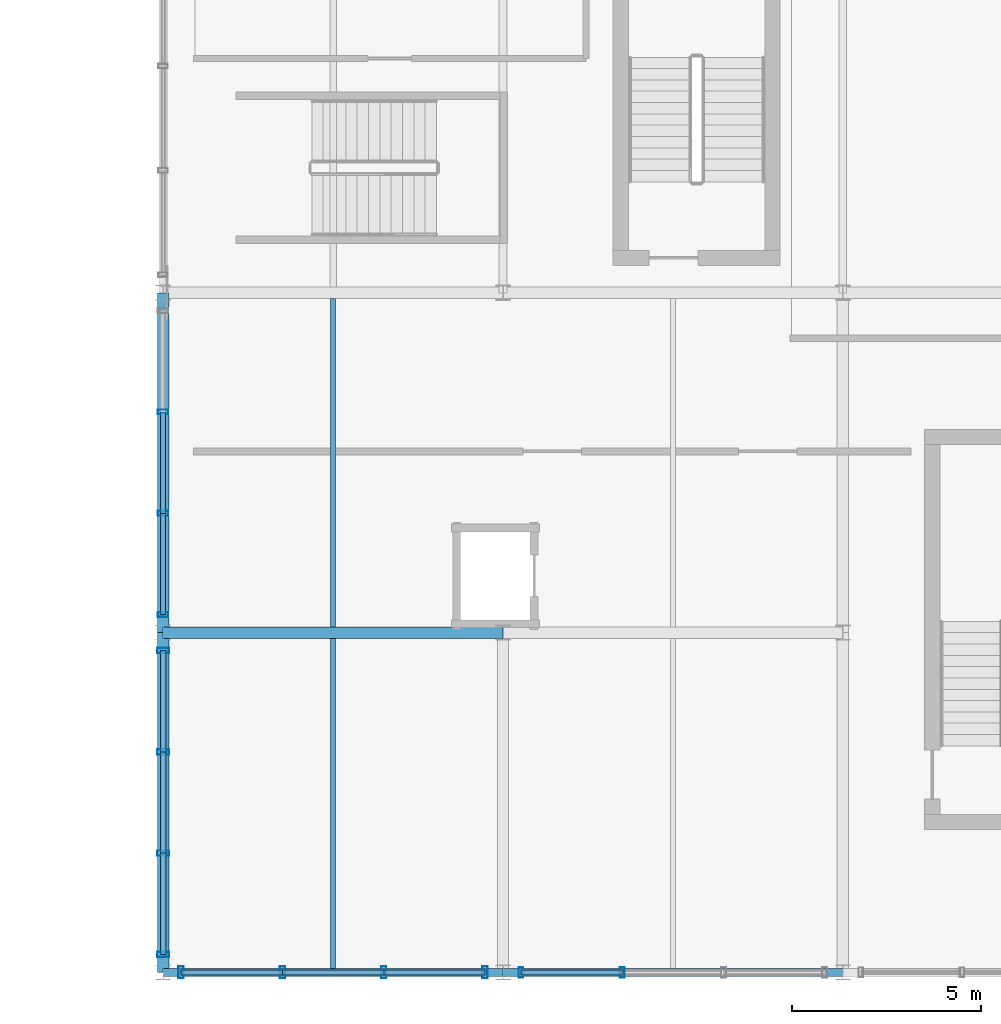
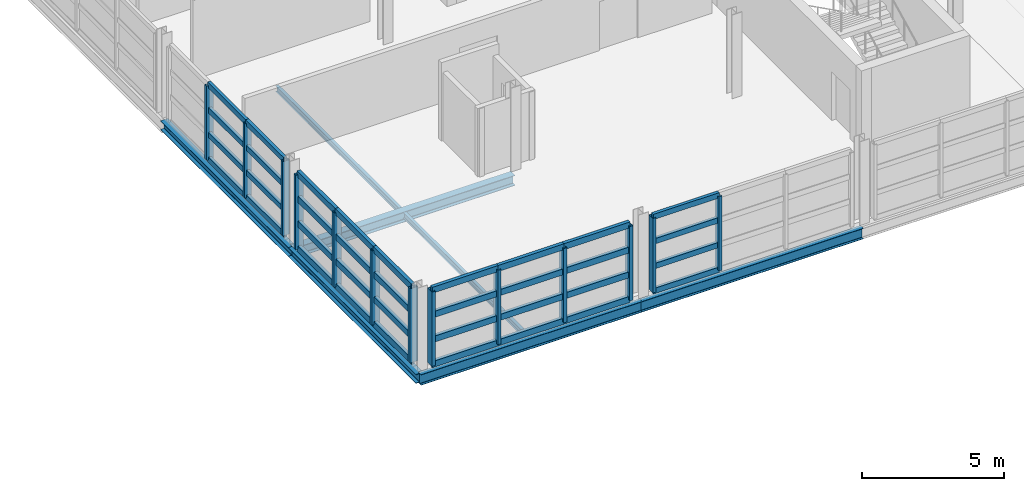
# One storey, part 57 of 116: 49 members, 7 beams, 4 elements without a shape of their own.
"""IFC4 building model written with IfcOpenShell, lengths in metres."""

from ifc_helpers import new_model, si_unit, direction, frame, origin, origin_2d, place, context, subcontext, project, spatial, hollow_rectangle, i_section, extrude, material, material_profile, profile_set, type_object, element, aggregate, save


model = new_model("IFC4")

# Units and contexts
model_context = context("Model", 3, precision=1e-05, world=origin(), true_north=direction((0.0, 1.0)))
body_context = subcontext(model_context, "Body", "Model", "MODEL_VIEW")
ifc_project = project(units=[si_unit("LENGTHUNIT", "METRE"), si_unit("AREAUNIT", "SQUARE_METRE"), si_unit("VOLUMEUNIT", "CUBIC_METRE"), si_unit("PLANEANGLEUNIT", "RADIAN"), si_unit("MASSUNIT", "GRAM", prefix="KILO")], contexts=[model_context])

# Site, building, storey
site_placement = place(None, origin())
site = spatial("IfcSite", under=ifc_project, at=site_placement, CompositionType="ELEMENT")
building_placement = place(site_placement, origin())
building = spatial("IfcBuilding", under=site, at=building_placement, Name="Chuanluo Vaults Station", CompositionType="ELEMENT")
storey_placement = place(building_placement, frame((0.0, 0.0, 10.800048828125)))
storey = spatial("IfcBuildingStorey", under=building, at=storey_placement, Name="L02", CompositionType="ELEMENT", Elevation=10.800048828125)

# Beams
ifc_material_1 = material(Name="Steel Q355C", Category="steel")
ifc_material_profile_1 = material_profile(ifc_material_1, i_section(OverallWidth=0.300048828125, OverallDepth=0.389892578125, WebThickness=0.010009765625, FlangeThickness=0.01611328125, FilletRadius=0.02001953125, at=origin_2d()))
ifc_profile_set_1 = profile_set([ifc_material_profile_1], Name="Steel Q355C")
beam_type_1 = type_object("IfcBeamType", Name="BM-GRD-400", PredefinedType="BEAM", material=ifc_profile_set_1)
for number, where, z_axis, x_axis, name in (
    (1, (136.0, 0.0, -0.43505859375), (0.0, 1.0, 0.0), (-1.0, 0.0, 0.0), "Floor girder BM:GY:L02:0634"),
    (2, (136.0, 9.0, -0.43505859375), (0.0, 1.0, 0.0), (-1.0, 0.0, 0.0), "Floor girder BM:GY:L02:0635"),
):
    element("IfcBeam", number, at=place(storey_placement, frame(where, z_axis=z_axis, x_axis=x_axis)), inside=storey, type_object=beam_type_1, Name=name, PredefinedType="BEAM", context=body_context, shape_type="SweptSolid", body=[
        extrude(i_section(OverallWidth=0.300048828125, OverallDepth=0.389892578125, WebThickness=0.010009765625, FlangeThickness=0.01611328125, FilletRadius=0.02001953125, at=origin_2d()), origin(), (0.0, 0.0, 1.0), 9.0),
    ])
ifc_material_2 = material(Name="Steel Q355C", Category="steel")
ifc_material_profile_2 = material_profile(ifc_material_2, i_section(OverallWidth=0.300048828125, OverallDepth=0.43994140625, WebThickness=0.010986328125, FlangeThickness=0.01806640625, FilletRadius=0.02001953125, at=origin_2d()))
ifc_profile_set_2 = profile_set([ifc_material_profile_2], Name="Steel Q355C")
beam_type_2 = type_object("IfcBeamType", Name="BM-GRD-450", PredefinedType="USERDEFINED", material=ifc_profile_set_2)
beam_1_placement = place(storey_placement, frame((136.0, 9.0, -0.4599609375), z_axis=(1.0, 0.0, 0.0), x_axis=(0.0, 1.0, 0.0)))
element("IfcBeam", 3, at=beam_1_placement, inside=storey, type_object=beam_type_2, Name="Floor girder BM:GX:L02:0541", ObjectType="GIRDER", PredefinedType="USERDEFINED", context=body_context, shape_type="SweptSolid", body=[
    extrude(i_section(OverallWidth=0.300048828125, OverallDepth=0.43994140625, WebThickness=0.010986328125, FlangeThickness=0.01806640625, FilletRadius=0.02001953125, at=origin_2d()), origin(), (0.0, 0.0, 1.0), 9.0),
])
ifc_material_3 = material(Name="Steel Q355C", Category="steel")
ifc_material_profile_3 = material_profile(ifc_material_3, i_section(OverallWidth=0.125, OverallDepth=0.25, WebThickness=0.006103515625, FlangeThickness=0.009033203125, FilletRadius=0.011962890625, at=origin_2d()))
ifc_profile_set_3 = profile_set([ifc_material_profile_3], Name="Steel Q355C")
beam_type_3 = type_object("IfcBeamType", Name="BM-SEC-250", PredefinedType="JOIST", material=ifc_profile_set_3)
beam_2_placement = place(storey_placement, frame((140.5, 0.107421875, -0.364990234375), z_axis=(0.0, 1.0, 0.0), x_axis=(-1.0, 0.0, 0.0)))
element("IfcBeam", 4, at=beam_2_placement, inside=storey, type_object=beam_type_3, Name="Composite secondary joist 0193", PredefinedType="JOIST", context=body_context, shape_type="SweptSolid", body=[
    extrude(i_section(OverallWidth=0.125, OverallDepth=0.25, WebThickness=0.006103515625, FlangeThickness=0.009033203125, FilletRadius=0.011962890625, at=origin_2d()), origin(), (0.0, 0.0, 1.0), 8.737548828125),
])
beam_3_placement = place(storey_placement, frame((140.5, 9.155029296875, -0.364990234375), z_axis=(0.0, 1.0, 0.0), x_axis=(-1.0, 0.0, 0.0)))
element("IfcBeam", 5, at=beam_3_placement, inside=storey, type_object=beam_type_3, Name="Composite secondary joist 0194", PredefinedType="JOIST", context=body_context, shape_type="SweptSolid", body=[
    extrude(i_section(OverallWidth=0.125, OverallDepth=0.25, WebThickness=0.006103515625, FlangeThickness=0.009033203125, FilletRadius=0.011962890625, at=origin_2d()), origin(), (0.0, 0.0, 1.0), 8.68994140625),
])
ifc_material_4 = material(Name="Steel Q355C", Category="steel")
ifc_material_profile_4 = material_profile(ifc_material_4, i_section(OverallWidth=0.205078125, OverallDepth=0.4599609375, WebThickness=0.009033203125, FlangeThickness=0.013916015625, FilletRadius=0.01611328125, at=origin_2d()))
ifc_profile_set_4 = profile_set([ifc_material_profile_4], Name="Steel Q355C")
beam_type_4 = type_object("IfcBeamType", Name="BM-SPN-450", PredefinedType="SPANDREL", material=ifc_profile_set_4)
for number, where, z_axis, x_axis, name in (
    (6, (136.0, 0.0, -0.469970703125), (1.0, 0.0, 0.0), (0.0, 1.0, 0.0), "Floor girder BM:GX:L02:0535"),
    (7, (145.0, 0.0, -0.469970703125), (1.0, 0.0, 0.0), (0.0, 1.0, 0.0), "Floor girder BM:GX:L02:0536"),
):
    element("IfcBeam", number, at=place(storey_placement, frame(where, z_axis=z_axis, x_axis=x_axis)), inside=storey, type_object=beam_type_4, Name=name, PredefinedType="SPANDREL", context=body_context, shape_type="SweptSolid", body=[
        extrude(i_section(OverallWidth=0.205078125, OverallDepth=0.4599609375, WebThickness=0.009033203125, FlangeThickness=0.013916015625, FilletRadius=0.01611328125, at=origin_2d()), origin(), (0.0, 0.0, 1.0), 9.0),
    ])

# Curtain wall, members
ifc_material_5 = material(Name="Anodised aluminium 6063-T6", Category="aluminium")
curtain_wall_type_1 = type_object("IfcCurtainWallType", Name="CW-SYS-22", PredefinedType="NOTDEFINED", material=ifc_material_5)
curtain_wall_1_placement = place(storey_placement, origin())
curtain_wall_1 = element("IfcCurtainWall", 8, at=curtain_wall_1_placement, inside=storey, type_object=curtain_wall_type_1, Name="Retail pavilion L02 facade CW", PredefinedType="NOTDEFINED")
ifc_material_6 = material(Name="Anodised aluminium 6063-T6", Category="aluminium")
ifc_material_profile_5 = material_profile(ifc_material_6, hollow_rectangle(XDim=0.1298828125, YDim=0.280029296875, WallThickness=0.007080078125, at=origin_2d()))
ifc_profile_set_5 = profile_set([ifc_material_profile_5], Name="Anodised aluminium 6063-T6")
member_type_1 = type_object("IfcMemberType", Name="CWM-180", PredefinedType="MULLION", material=ifc_profile_set_5)
member_1_placement = place(storey_placement, frame((136.0, 9.47509765625, 0.0), z_axis=(0.0, 0.0, 1.0), x_axis=(0.0, 1.0, 0.0)))
member_1 = element("IfcMember", 9, at=member_1_placement, type_object=member_type_1, Name="Retail pavilion L02 facade CW mullion 1", PredefinedType="MULLION", context=body_context, shape_type="SweptSolid", body=[
    extrude(hollow_rectangle(XDim=0.1298828125, YDim=0.280029296875, WallThickness=0.007080078125, at=origin_2d()), origin(), (0.0, 0.0, 1.0), 3.199951171875),
])
member_2_placement = place(storey_placement, frame((136.0, 12.158203125, 0.0), z_axis=(0.0, 0.0, 1.0), x_axis=(0.0, 1.0, 0.0)))
member_2 = element("IfcMember", 10, at=member_2_placement, type_object=member_type_1, Name="Retail pavilion L02 facade CW mullion 2", PredefinedType="MULLION", context=body_context, shape_type="SweptSolid", body=[
    extrude(hollow_rectangle(XDim=0.1298828125, YDim=0.280029296875, WallThickness=0.007080078125, at=origin_2d()), origin(), (0.0, 0.0, 1.0), 3.199951171875),
])
member_3_placement = place(storey_placement, frame((136.0, 14.841796875, 0.0), z_axis=(0.0, 0.0, 1.0), x_axis=(0.0, 1.0, 0.0)))
member_3 = element("IfcMember", 11, at=member_3_placement, type_object=member_type_1, Name="Retail pavilion L02 facade CW mullion 3", PredefinedType="MULLION", context=body_context, shape_type="SweptSolid", body=[
    extrude(hollow_rectangle(XDim=0.1298828125, YDim=0.280029296875, WallThickness=0.007080078125, at=origin_2d()), origin(), (0.0, 0.0, 1.0), 3.199951171875),
])

ifc_material_7 = material(Name="Anodised aluminium 6063-T6", Category="aluminium")
curtain_wall_type_2 = type_object("IfcCurtainWallType", Name="CW-SYS-26", PredefinedType="NOTDEFINED", material=ifc_material_7)
curtain_wall_2_placement = place(storey_placement, origin())
curtain_wall_2 = element("IfcCurtainWall", 12, at=curtain_wall_2_placement, inside=storey, type_object=curtain_wall_type_2, Name="Retail pavilion L02 facade CW", PredefinedType="NOTDEFINED")
member_4_placement = place(storey_placement, frame((148.158203125, 0.0, 0.0), z_axis=(0.0, 0.0, 1.0), x_axis=(-1.0, 0.0, 0.0)))
member_4 = element("IfcMember", 13, at=member_4_placement, type_object=member_type_1, Name="Retail pavilion L02 facade CW mullion 3", PredefinedType="MULLION", context=body_context, shape_type="SweptSolid", body=[
    extrude(hollow_rectangle(XDim=0.1298828125, YDim=0.280029296875, WallThickness=0.007080078125, at=origin_2d()), origin(), (0.0, 0.0, 1.0), 3.199951171875),
])
member_5_placement = place(storey_placement, frame((145.47509765625, 0.0, 0.0), z_axis=(0.0, 0.0, 1.0), x_axis=(-1.0, 0.0, 0.0)))
member_5 = element("IfcMember", 14, at=member_5_placement, type_object=member_type_1, Name="Retail pavilion L02 facade CW mullion 4", PredefinedType="MULLION", context=body_context, shape_type="SweptSolid", body=[
    extrude(hollow_rectangle(XDim=0.1298828125, YDim=0.280029296875, WallThickness=0.007080078125, at=origin_2d()), origin(), (0.0, 0.0, 1.0), 3.199951171875),
])

ifc_material_8 = material(Name="Anodised aluminium 6063-T6", Category="aluminium")
curtain_wall_type_3 = type_object("IfcCurtainWallType", Name="CW-SYS-21", PredefinedType="NOTDEFINED", material=ifc_material_8)
curtain_wall_3_placement = place(storey_placement, origin())
curtain_wall_3 = element("IfcCurtainWall", 15, at=curtain_wall_3_placement, inside=storey, type_object=curtain_wall_type_3, Name="Retail pavilion L02 facade CW", PredefinedType="NOTDEFINED")
ifc_material_9 = material(Name="Anodised aluminium 6063-T6", Category="aluminium")
ifc_material_profile_6 = material_profile(ifc_material_9, hollow_rectangle(XDim=0.139892578125, YDim=0.320068359375, WallThickness=0.008056640625, at=origin_2d()))
ifc_profile_set_6 = profile_set([ifc_material_profile_6], Name="Anodised aluminium 6063-T6")
member_type_2 = type_object("IfcMemberType", Name="CWM-220", PredefinedType="MULLION", material=ifc_profile_set_6)
member_6_placement = place(storey_placement, frame((136.0, 0.47509765625, 0.0), z_axis=(0.0, 0.0, 1.0), x_axis=(0.0, 1.0, 0.0)))
member_6 = element("IfcMember", 16, at=member_6_placement, type_object=member_type_2, Name="Retail pavilion L02 facade CW mullion 1", PredefinedType="MULLION", context=body_context, shape_type="SweptSolid", body=[
    extrude(hollow_rectangle(XDim=0.139892578125, YDim=0.320068359375, WallThickness=0.008056640625, at=origin_2d()), origin(), (0.0, 0.0, 1.0), 3.199951171875),
])
member_7_placement = place(storey_placement, frame((136.0, 3.158203125, 0.0), z_axis=(0.0, 0.0, 1.0), x_axis=(0.0, 1.0, 0.0)))
member_7 = element("IfcMember", 17, at=member_7_placement, type_object=member_type_2, Name="Retail pavilion L02 facade CW mullion 2", PredefinedType="MULLION", context=body_context, shape_type="SweptSolid", body=[
    extrude(hollow_rectangle(XDim=0.139892578125, YDim=0.320068359375, WallThickness=0.008056640625, at=origin_2d()), origin(), (0.0, 0.0, 1.0), 3.199951171875),
])
member_8_placement = place(storey_placement, frame((136.0, 5.841796875, 0.0), z_axis=(0.0, 0.0, 1.0), x_axis=(0.0, 1.0, 0.0)))
member_8 = element("IfcMember", 18, at=member_8_placement, type_object=member_type_2, Name="Retail pavilion L02 facade CW mullion 3", PredefinedType="MULLION", context=body_context, shape_type="SweptSolid", body=[
    extrude(hollow_rectangle(XDim=0.139892578125, YDim=0.320068359375, WallThickness=0.008056640625, at=origin_2d()), origin(), (0.0, 0.0, 1.0), 3.199951171875),
])
member_9_placement = place(storey_placement, frame((136.0, 8.52490234375, 0.0), z_axis=(0.0, 0.0, 1.0), x_axis=(0.0, 1.0, 0.0)))
member_9 = element("IfcMember", 19, at=member_9_placement, type_object=member_type_2, Name="Retail pavilion L02 facade CW mullion 4", PredefinedType="MULLION", context=body_context, shape_type="SweptSolid", body=[
    extrude(hollow_rectangle(XDim=0.139892578125, YDim=0.320068359375, WallThickness=0.008056640625, at=origin_2d()), origin(), (0.0, 0.0, 1.0), 3.199951171875),
])

ifc_material_10 = material(Name="Anodised aluminium 6063-T6", Category="aluminium")
curtain_wall_type_4 = type_object("IfcCurtainWallType", Name="CW-SYS-25", PredefinedType="NOTDEFINED", material=ifc_material_10)
curtain_wall_4_placement = place(storey_placement, origin())
curtain_wall_4 = element("IfcCurtainWall", 20, at=curtain_wall_4_placement, inside=storey, type_object=curtain_wall_type_4, Name="Retail pavilion L02 facade CW", PredefinedType="NOTDEFINED")
member_10_placement = place(storey_placement, frame((144.52490234375, 0.0, 0.0), z_axis=(0.0, 0.0, 1.0), x_axis=(-1.0, 0.0, 0.0)))
member_10 = element("IfcMember", 21, at=member_10_placement, type_object=member_type_2, Name="Retail pavilion L02 facade CW mullion 1", PredefinedType="MULLION", context=body_context, shape_type="SweptSolid", body=[
    extrude(hollow_rectangle(XDim=0.139892578125, YDim=0.320068359375, WallThickness=0.008056640625, at=origin_2d()), origin(), (0.0, 0.0, 1.0), 3.199951171875),
])
member_11_placement = place(storey_placement, frame((141.841796875, 0.0, 0.0), z_axis=(0.0, 0.0, 1.0), x_axis=(-1.0, 0.0, 0.0)))
member_11 = element("IfcMember", 22, at=member_11_placement, type_object=member_type_2, Name="Retail pavilion L02 facade CW mullion 2", PredefinedType="MULLION", context=body_context, shape_type="SweptSolid", body=[
    extrude(hollow_rectangle(XDim=0.139892578125, YDim=0.320068359375, WallThickness=0.008056640625, at=origin_2d()), origin(), (0.0, 0.0, 1.0), 3.199951171875),
])
member_12_placement = place(storey_placement, frame((139.158203125, 0.0, 0.0), z_axis=(0.0, 0.0, 1.0), x_axis=(-1.0, 0.0, 0.0)))
member_12 = element("IfcMember", 23, at=member_12_placement, type_object=member_type_2, Name="Retail pavilion L02 facade CW mullion 3", PredefinedType="MULLION", context=body_context, shape_type="SweptSolid", body=[
    extrude(hollow_rectangle(XDim=0.139892578125, YDim=0.320068359375, WallThickness=0.008056640625, at=origin_2d()), origin(), (0.0, 0.0, 1.0), 3.199951171875),
])
member_13_placement = place(storey_placement, frame((136.47509765625, 0.0, 0.0), z_axis=(0.0, 0.0, 1.0), x_axis=(-1.0, 0.0, 0.0)))
member_13 = element("IfcMember", 24, at=member_13_placement, type_object=member_type_2, Name="Retail pavilion L02 facade CW mullion 4", PredefinedType="MULLION", context=body_context, shape_type="SweptSolid", body=[
    extrude(hollow_rectangle(XDim=0.139892578125, YDim=0.320068359375, WallThickness=0.008056640625, at=origin_2d()), origin(), (0.0, 0.0, 1.0), 3.199951171875),
])

# Member
ifc_material_11 = material(Name="Anodised aluminium 6063-T6", Category="aluminium")
ifc_material_profile_7 = material_profile(ifc_material_11, hollow_rectangle(XDim=0.1298828125, YDim=0.22998046875, WallThickness=0.006103515625, at=origin_2d()))
ifc_profile_set_7 = profile_set([ifc_material_profile_7], Name="Anodised aluminium 6063-T6")
member_type_3 = type_object("IfcMemberType", Name="CWT-150", PredefinedType="USERDEFINED", material=ifc_profile_set_7)
member_14_placement = place(storey_placement, frame((136.0, 9.47509765625, 0.0), z_axis=(0.0, 1.0, 0.0), x_axis=(-1.0, 0.0, 0.0)))
member_14 = element("IfcMember", 25, at=member_14_placement, type_object=member_type_3, Name="Retail pavilion L02 facade CW transom 1.1", ObjectType="TRANSOM", PredefinedType="USERDEFINED", context=body_context, shape_type="SweptSolid", body=[
    extrude(hollow_rectangle(XDim=0.1298828125, YDim=0.22998046875, WallThickness=0.006103515625, at=origin_2d()), origin(), (0.0, 0.0, 1.0), 2.68310546875),
])

member_15_placement = place(storey_placement, frame((136.0, 9.47509765625, 1.066650390625), z_axis=(0.0, 1.0, 0.0), x_axis=(-1.0, 0.0, 0.0)))
member_15 = element("IfcMember", 26, at=member_15_placement, type_object=member_type_3, Name="Retail pavilion L02 facade CW transom 1.2", ObjectType="TRANSOM", PredefinedType="USERDEFINED", context=body_context, shape_type="SweptSolid", body=[
    extrude(hollow_rectangle(XDim=0.1298828125, YDim=0.22998046875, WallThickness=0.006103515625, at=origin_2d()), origin(), (0.0, 0.0, 1.0), 2.68310546875),
])

member_16_placement = place(storey_placement, frame((136.0, 9.47509765625, 2.13330078125), z_axis=(0.0, 1.0, 0.0), x_axis=(-1.0, 0.0, 0.0)))
member_16 = element("IfcMember", 27, at=member_16_placement, type_object=member_type_3, Name="Retail pavilion L02 facade CW transom 1.3", ObjectType="TRANSOM", PredefinedType="USERDEFINED", context=body_context, shape_type="SweptSolid", body=[
    extrude(hollow_rectangle(XDim=0.1298828125, YDim=0.22998046875, WallThickness=0.006103515625, at=origin_2d()), origin(), (0.0, 0.0, 1.0), 2.68310546875),
])

member_17_placement = place(storey_placement, frame((136.0, 9.47509765625, 3.199951171875), z_axis=(0.0, 1.0, 0.0), x_axis=(-1.0, 0.0, 0.0)))
member_17 = element("IfcMember", 28, at=member_17_placement, type_object=member_type_3, Name="Retail pavilion L02 facade CW transom 1.4", ObjectType="TRANSOM", PredefinedType="USERDEFINED", context=body_context, shape_type="SweptSolid", body=[
    extrude(hollow_rectangle(XDim=0.1298828125, YDim=0.22998046875, WallThickness=0.006103515625, at=origin_2d()), origin(), (0.0, 0.0, 1.0), 2.68310546875),
])

member_18_placement = place(storey_placement, frame((136.0, 12.158203125, 0.0), z_axis=(0.0, 1.0, 0.0), x_axis=(-1.0, 0.0, 0.0)))
member_18 = element("IfcMember", 29, at=member_18_placement, type_object=member_type_3, Name="Retail pavilion L02 facade CW transom 2.1", ObjectType="TRANSOM", PredefinedType="USERDEFINED", context=body_context, shape_type="SweptSolid", body=[
    extrude(hollow_rectangle(XDim=0.1298828125, YDim=0.22998046875, WallThickness=0.006103515625, at=origin_2d()), origin(), (0.0, 0.0, 1.0), 2.68359375),
])

member_19_placement = place(storey_placement, frame((136.0, 12.158203125, 1.066650390625), z_axis=(0.0, 1.0, 0.0), x_axis=(-1.0, 0.0, 0.0)))
member_19 = element("IfcMember", 30, at=member_19_placement, type_object=member_type_3, Name="Retail pavilion L02 facade CW transom 2.2", ObjectType="TRANSOM", PredefinedType="USERDEFINED", context=body_context, shape_type="SweptSolid", body=[
    extrude(hollow_rectangle(XDim=0.1298828125, YDim=0.22998046875, WallThickness=0.006103515625, at=origin_2d()), origin(), (0.0, 0.0, 1.0), 2.68359375),
])

member_20_placement = place(storey_placement, frame((136.0, 12.158203125, 2.13330078125), z_axis=(0.0, 1.0, 0.0), x_axis=(-1.0, 0.0, 0.0)))
member_20 = element("IfcMember", 31, at=member_20_placement, type_object=member_type_3, Name="Retail pavilion L02 facade CW transom 2.3", ObjectType="TRANSOM", PredefinedType="USERDEFINED", context=body_context, shape_type="SweptSolid", body=[
    extrude(hollow_rectangle(XDim=0.1298828125, YDim=0.22998046875, WallThickness=0.006103515625, at=origin_2d()), origin(), (0.0, 0.0, 1.0), 2.68359375),
])

member_21_placement = place(storey_placement, frame((136.0, 12.158203125, 3.199951171875), z_axis=(0.0, 1.0, 0.0), x_axis=(-1.0, 0.0, 0.0)))
member_21 = element("IfcMember", 32, at=member_21_placement, type_object=member_type_3, Name="Retail pavilion L02 facade CW transom 2.4", ObjectType="TRANSOM", PredefinedType="USERDEFINED", context=body_context, shape_type="SweptSolid", body=[
    extrude(hollow_rectangle(XDim=0.1298828125, YDim=0.22998046875, WallThickness=0.006103515625, at=origin_2d()), origin(), (0.0, 0.0, 1.0), 2.68359375),
])

aggregate(curtain_wall_1, [member_1, member_2, member_3, member_14, member_15, member_16, member_17, member_18, member_19, member_20, member_21])

member_22_placement = place(storey_placement, frame((148.158203125, 0.0, 0.0), z_axis=(-1.0, 0.0, 0.0), x_axis=(0.0, -1.0, 0.0)))
member_22 = element("IfcMember", 33, at=member_22_placement, type_object=member_type_3, Name="Retail pavilion L02 facade CW transom 3.1", ObjectType="TRANSOM", PredefinedType="USERDEFINED", context=body_context, shape_type="SweptSolid", body=[
    extrude(hollow_rectangle(XDim=0.1298828125, YDim=0.22998046875, WallThickness=0.006103515625, at=origin_2d()), origin(), (0.0, 0.0, 1.0), 2.68310546875),
])

member_23_placement = place(storey_placement, frame((148.158203125, 0.0, 1.066650390625), z_axis=(-1.0, 0.0, 0.0), x_axis=(0.0, -1.0, 0.0)))
member_23 = element("IfcMember", 34, at=member_23_placement, type_object=member_type_3, Name="Retail pavilion L02 facade CW transom 3.2", ObjectType="TRANSOM", PredefinedType="USERDEFINED", context=body_context, shape_type="SweptSolid", body=[
    extrude(hollow_rectangle(XDim=0.1298828125, YDim=0.22998046875, WallThickness=0.006103515625, at=origin_2d()), origin(), (0.0, 0.0, 1.0), 2.68310546875),
])

member_24_placement = place(storey_placement, frame((148.158203125, 0.0, 2.13330078125), z_axis=(-1.0, 0.0, 0.0), x_axis=(0.0, -1.0, 0.0)))
member_24 = element("IfcMember", 35, at=member_24_placement, type_object=member_type_3, Name="Retail pavilion L02 facade CW transom 3.3", ObjectType="TRANSOM", PredefinedType="USERDEFINED", context=body_context, shape_type="SweptSolid", body=[
    extrude(hollow_rectangle(XDim=0.1298828125, YDim=0.22998046875, WallThickness=0.006103515625, at=origin_2d()), origin(), (0.0, 0.0, 1.0), 2.68310546875),
])

member_25_placement = place(storey_placement, frame((148.158203125, 0.0, 3.199951171875), z_axis=(-1.0, 0.0, 0.0), x_axis=(0.0, -1.0, 0.0)))
member_25 = element("IfcMember", 36, at=member_25_placement, type_object=member_type_3, Name="Retail pavilion L02 facade CW transom 3.4", ObjectType="TRANSOM", PredefinedType="USERDEFINED", context=body_context, shape_type="SweptSolid", body=[
    extrude(hollow_rectangle(XDim=0.1298828125, YDim=0.22998046875, WallThickness=0.006103515625, at=origin_2d()), origin(), (0.0, 0.0, 1.0), 2.68310546875),
])

aggregate(curtain_wall_2, [member_4, member_5, member_22, member_23, member_24, member_25])

ifc_material_12 = material(Name="Anodised aluminium 6063-T6", Category="aluminium")
ifc_material_profile_8 = material_profile(ifc_material_12, hollow_rectangle(XDim=0.139892578125, YDim=0.260009765625, WallThickness=0.007080078125, at=origin_2d()))
ifc_profile_set_8 = profile_set([ifc_material_profile_8], Name="Anodised aluminium 6063-T6")
member_type_4 = type_object("IfcMemberType", Name="CWT-180", PredefinedType="USERDEFINED", material=ifc_profile_set_8)
member_26_placement = place(storey_placement, frame((136.0, 0.47509765625, 0.0), z_axis=(0.0, 1.0, 0.0), x_axis=(-1.0, 0.0, 0.0)))
member_26 = element("IfcMember", 37, at=member_26_placement, type_object=member_type_4, Name="Retail pavilion L02 facade CW transom 1.1", ObjectType="TRANSOM", PredefinedType="USERDEFINED", context=body_context, shape_type="SweptSolid", body=[
    extrude(hollow_rectangle(XDim=0.139892578125, YDim=0.260009765625, WallThickness=0.007080078125, at=origin_2d()), origin(), (0.0, 0.0, 1.0), 2.68310546875),
])

member_27_placement = place(storey_placement, frame((136.0, 0.47509765625, 1.066650390625), z_axis=(0.0, 1.0, 0.0), x_axis=(-1.0, 0.0, 0.0)))
member_27 = element("IfcMember", 38, at=member_27_placement, type_object=member_type_4, Name="Retail pavilion L02 facade CW transom 1.2", ObjectType="TRANSOM", PredefinedType="USERDEFINED", context=body_context, shape_type="SweptSolid", body=[
    extrude(hollow_rectangle(XDim=0.139892578125, YDim=0.260009765625, WallThickness=0.007080078125, at=origin_2d()), origin(), (0.0, 0.0, 1.0), 2.68310546875),
])

member_28_placement = place(storey_placement, frame((136.0, 0.47509765625, 2.13330078125), z_axis=(0.0, 1.0, 0.0), x_axis=(-1.0, 0.0, 0.0)))
member_28 = element("IfcMember", 39, at=member_28_placement, type_object=member_type_4, Name="Retail pavilion L02 facade CW transom 1.3", ObjectType="TRANSOM", PredefinedType="USERDEFINED", context=body_context, shape_type="SweptSolid", body=[
    extrude(hollow_rectangle(XDim=0.139892578125, YDim=0.260009765625, WallThickness=0.007080078125, at=origin_2d()), origin(), (0.0, 0.0, 1.0), 2.68310546875),
])

member_29_placement = place(storey_placement, frame((136.0, 0.47509765625, 3.199951171875), z_axis=(0.0, 1.0, 0.0), x_axis=(-1.0, 0.0, 0.0)))
member_29 = element("IfcMember", 40, at=member_29_placement, type_object=member_type_4, Name="Retail pavilion L02 facade CW transom 1.4", ObjectType="TRANSOM", PredefinedType="USERDEFINED", context=body_context, shape_type="SweptSolid", body=[
    extrude(hollow_rectangle(XDim=0.139892578125, YDim=0.260009765625, WallThickness=0.007080078125, at=origin_2d()), origin(), (0.0, 0.0, 1.0), 2.68310546875),
])

member_30_placement = place(storey_placement, frame((136.0, 3.158203125, 0.0), z_axis=(0.0, 1.0, 0.0), x_axis=(-1.0, 0.0, 0.0)))
member_30 = element("IfcMember", 41, at=member_30_placement, type_object=member_type_4, Name="Retail pavilion L02 facade CW transom 2.1", ObjectType="TRANSOM", PredefinedType="USERDEFINED", context=body_context, shape_type="SweptSolid", body=[
    extrude(hollow_rectangle(XDim=0.139892578125, YDim=0.260009765625, WallThickness=0.007080078125, at=origin_2d()), origin(), (0.0, 0.0, 1.0), 2.68359375),
])

member_31_placement = place(storey_placement, frame((136.0, 3.158203125, 1.066650390625), z_axis=(0.0, 1.0, 0.0), x_axis=(-1.0, 0.0, 0.0)))
member_31 = element("IfcMember", 42, at=member_31_placement, type_object=member_type_4, Name="Retail pavilion L02 facade CW transom 2.2", ObjectType="TRANSOM", PredefinedType="USERDEFINED", context=body_context, shape_type="SweptSolid", body=[
    extrude(hollow_rectangle(XDim=0.139892578125, YDim=0.260009765625, WallThickness=0.007080078125, at=origin_2d()), origin(), (0.0, 0.0, 1.0), 2.68359375),
])

member_32_placement = place(storey_placement, frame((136.0, 3.158203125, 2.13330078125), z_axis=(0.0, 1.0, 0.0), x_axis=(-1.0, 0.0, 0.0)))
member_32 = element("IfcMember", 43, at=member_32_placement, type_object=member_type_4, Name="Retail pavilion L02 facade CW transom 2.3", ObjectType="TRANSOM", PredefinedType="USERDEFINED", context=body_context, shape_type="SweptSolid", body=[
    extrude(hollow_rectangle(XDim=0.139892578125, YDim=0.260009765625, WallThickness=0.007080078125, at=origin_2d()), origin(), (0.0, 0.0, 1.0), 2.68359375),
])

member_33_placement = place(storey_placement, frame((136.0, 3.158203125, 3.199951171875), z_axis=(0.0, 1.0, 0.0), x_axis=(-1.0, 0.0, 0.0)))
member_33 = element("IfcMember", 44, at=member_33_placement, type_object=member_type_4, Name="Retail pavilion L02 facade CW transom 2.4", ObjectType="TRANSOM", PredefinedType="USERDEFINED", context=body_context, shape_type="SweptSolid", body=[
    extrude(hollow_rectangle(XDim=0.139892578125, YDim=0.260009765625, WallThickness=0.007080078125, at=origin_2d()), origin(), (0.0, 0.0, 1.0), 2.68359375),
])

member_34_placement = place(storey_placement, frame((136.0, 5.841796875, 0.0), z_axis=(0.0, 1.0, 0.0), x_axis=(-1.0, 0.0, 0.0)))
member_34 = element("IfcMember", 45, at=member_34_placement, type_object=member_type_4, Name="Retail pavilion L02 facade CW transom 3.1", ObjectType="TRANSOM", PredefinedType="USERDEFINED", context=body_context, shape_type="SweptSolid", body=[
    extrude(hollow_rectangle(XDim=0.139892578125, YDim=0.260009765625, WallThickness=0.007080078125, at=origin_2d()), origin(), (0.0, 0.0, 1.0), 2.68310546875),
])

member_35_placement = place(storey_placement, frame((136.0, 5.841796875, 1.066650390625), z_axis=(0.0, 1.0, 0.0), x_axis=(-1.0, 0.0, 0.0)))
member_35 = element("IfcMember", 46, at=member_35_placement, type_object=member_type_4, Name="Retail pavilion L02 facade CW transom 3.2", ObjectType="TRANSOM", PredefinedType="USERDEFINED", context=body_context, shape_type="SweptSolid", body=[
    extrude(hollow_rectangle(XDim=0.139892578125, YDim=0.260009765625, WallThickness=0.007080078125, at=origin_2d()), origin(), (0.0, 0.0, 1.0), 2.68310546875),
])

member_36_placement = place(storey_placement, frame((136.0, 5.841796875, 2.13330078125), z_axis=(0.0, 1.0, 0.0), x_axis=(-1.0, 0.0, 0.0)))
member_36 = element("IfcMember", 47, at=member_36_placement, type_object=member_type_4, Name="Retail pavilion L02 facade CW transom 3.3", ObjectType="TRANSOM", PredefinedType="USERDEFINED", context=body_context, shape_type="SweptSolid", body=[
    extrude(hollow_rectangle(XDim=0.139892578125, YDim=0.260009765625, WallThickness=0.007080078125, at=origin_2d()), origin(), (0.0, 0.0, 1.0), 2.68310546875),
])

member_37_placement = place(storey_placement, frame((136.0, 5.841796875, 3.199951171875), z_axis=(0.0, 1.0, 0.0), x_axis=(-1.0, 0.0, 0.0)))
member_37 = element("IfcMember", 48, at=member_37_placement, type_object=member_type_4, Name="Retail pavilion L02 facade CW transom 3.4", ObjectType="TRANSOM", PredefinedType="USERDEFINED", context=body_context, shape_type="SweptSolid", body=[
    extrude(hollow_rectangle(XDim=0.139892578125, YDim=0.260009765625, WallThickness=0.007080078125, at=origin_2d()), origin(), (0.0, 0.0, 1.0), 2.68310546875),
])

aggregate(curtain_wall_3, [member_6, member_7, member_8, member_9, member_26, member_27, member_28, member_29, member_30, member_31, member_32, member_33, member_34, member_35, member_36, member_37])

member_38_placement = place(storey_placement, frame((144.52490234375, 0.0, 0.0), z_axis=(-1.0, 0.0, 0.0), x_axis=(0.0, -1.0, 0.0)))
member_38 = element("IfcMember", 49, at=member_38_placement, type_object=member_type_4, Name="Retail pavilion L02 facade CW transom 1.1", ObjectType="TRANSOM", PredefinedType="USERDEFINED", context=body_context, shape_type="SweptSolid", body=[
    extrude(hollow_rectangle(XDim=0.139892578125, YDim=0.260009765625, WallThickness=0.007080078125, at=origin_2d()), origin(), (0.0, 0.0, 1.0), 2.68310546875),
])

member_39_placement = place(storey_placement, frame((144.52490234375, 0.0, 1.066650390625), z_axis=(-1.0, 0.0, 0.0), x_axis=(0.0, -1.0, 0.0)))
member_39 = element("IfcMember", 50, at=member_39_placement, type_object=member_type_4, Name="Retail pavilion L02 facade CW transom 1.2", ObjectType="TRANSOM", PredefinedType="USERDEFINED", context=body_context, shape_type="SweptSolid", body=[
    extrude(hollow_rectangle(XDim=0.139892578125, YDim=0.260009765625, WallThickness=0.007080078125, at=origin_2d()), origin(), (0.0, 0.0, 1.0), 2.68310546875),
])

member_40_placement = place(storey_placement, frame((144.52490234375, 0.0, 2.13330078125), z_axis=(-1.0, 0.0, 0.0), x_axis=(0.0, -1.0, 0.0)))
member_40 = element("IfcMember", 51, at=member_40_placement, type_object=member_type_4, Name="Retail pavilion L02 facade CW transom 1.3", ObjectType="TRANSOM", PredefinedType="USERDEFINED", context=body_context, shape_type="SweptSolid", body=[
    extrude(hollow_rectangle(XDim=0.139892578125, YDim=0.260009765625, WallThickness=0.007080078125, at=origin_2d()), origin(), (0.0, 0.0, 1.0), 2.68310546875),
])

member_41_placement = place(storey_placement, frame((144.52490234375, 0.0, 3.199951171875), z_axis=(-1.0, 0.0, 0.0), x_axis=(0.0, -1.0, 0.0)))
member_41 = element("IfcMember", 52, at=member_41_placement, type_object=member_type_4, Name="Retail pavilion L02 facade CW transom 1.4", ObjectType="TRANSOM", PredefinedType="USERDEFINED", context=body_context, shape_type="SweptSolid", body=[
    extrude(hollow_rectangle(XDim=0.139892578125, YDim=0.260009765625, WallThickness=0.007080078125, at=origin_2d()), origin(), (0.0, 0.0, 1.0), 2.68310546875),
])

member_42_placement = place(storey_placement, frame((141.841796875, 0.0, 0.0), z_axis=(-1.0, 0.0, 0.0), x_axis=(0.0, -1.0, 0.0)))
member_42 = element("IfcMember", 53, at=member_42_placement, type_object=member_type_4, Name="Retail pavilion L02 facade CW transom 2.1", ObjectType="TRANSOM", PredefinedType="USERDEFINED", context=body_context, shape_type="SweptSolid", body=[
    extrude(hollow_rectangle(XDim=0.139892578125, YDim=0.260009765625, WallThickness=0.007080078125, at=origin_2d()), origin(), (0.0, 0.0, 1.0), 2.68359375),
])

member_43_placement = place(storey_placement, frame((141.841796875, 0.0, 1.066650390625), z_axis=(-1.0, 0.0, 0.0), x_axis=(0.0, -1.0, 0.0)))
member_43 = element("IfcMember", 54, at=member_43_placement, type_object=member_type_4, Name="Retail pavilion L02 facade CW transom 2.2", ObjectType="TRANSOM", PredefinedType="USERDEFINED", context=body_context, shape_type="SweptSolid", body=[
    extrude(hollow_rectangle(XDim=0.139892578125, YDim=0.260009765625, WallThickness=0.007080078125, at=origin_2d()), origin(), (0.0, 0.0, 1.0), 2.68359375),
])

member_44_placement = place(storey_placement, frame((141.841796875, 0.0, 2.13330078125), z_axis=(-1.0, 0.0, 0.0), x_axis=(0.0, -1.0, 0.0)))
member_44 = element("IfcMember", 55, at=member_44_placement, type_object=member_type_4, Name="Retail pavilion L02 facade CW transom 2.3", ObjectType="TRANSOM", PredefinedType="USERDEFINED", context=body_context, shape_type="SweptSolid", body=[
    extrude(hollow_rectangle(XDim=0.139892578125, YDim=0.260009765625, WallThickness=0.007080078125, at=origin_2d()), origin(), (0.0, 0.0, 1.0), 2.68359375),
])

member_45_placement = place(storey_placement, frame((141.841796875, 0.0, 3.199951171875), z_axis=(-1.0, 0.0, 0.0), x_axis=(0.0, -1.0, 0.0)))
member_45 = element("IfcMember", 56, at=member_45_placement, type_object=member_type_4, Name="Retail pavilion L02 facade CW transom 2.4", ObjectType="TRANSOM", PredefinedType="USERDEFINED", context=body_context, shape_type="SweptSolid", body=[
    extrude(hollow_rectangle(XDim=0.139892578125, YDim=0.260009765625, WallThickness=0.007080078125, at=origin_2d()), origin(), (0.0, 0.0, 1.0), 2.68359375),
])

member_46_placement = place(storey_placement, frame((139.158203125, 0.0, 0.0), z_axis=(-1.0, 0.0, 0.0), x_axis=(0.0, -1.0, 0.0)))
member_46 = element("IfcMember", 57, at=member_46_placement, type_object=member_type_4, Name="Retail pavilion L02 facade CW transom 3.1", ObjectType="TRANSOM", PredefinedType="USERDEFINED", context=body_context, shape_type="SweptSolid", body=[
    extrude(hollow_rectangle(XDim=0.139892578125, YDim=0.260009765625, WallThickness=0.007080078125, at=origin_2d()), origin(), (0.0, 0.0, 1.0), 2.68310546875),
])

member_47_placement = place(storey_placement, frame((139.158203125, 0.0, 1.066650390625), z_axis=(-1.0, 0.0, 0.0), x_axis=(0.0, -1.0, 0.0)))
member_47 = element("IfcMember", 58, at=member_47_placement, type_object=member_type_4, Name="Retail pavilion L02 facade CW transom 3.2", ObjectType="TRANSOM", PredefinedType="USERDEFINED", context=body_context, shape_type="SweptSolid", body=[
    extrude(hollow_rectangle(XDim=0.139892578125, YDim=0.260009765625, WallThickness=0.007080078125, at=origin_2d()), origin(), (0.0, 0.0, 1.0), 2.68310546875),
])

member_48_placement = place(storey_placement, frame((139.158203125, 0.0, 2.13330078125), z_axis=(-1.0, 0.0, 0.0), x_axis=(0.0, -1.0, 0.0)))
member_48 = element("IfcMember", 59, at=member_48_placement, type_object=member_type_4, Name="Retail pavilion L02 facade CW transom 3.3", ObjectType="TRANSOM", PredefinedType="USERDEFINED", context=body_context, shape_type="SweptSolid", body=[
    extrude(hollow_rectangle(XDim=0.139892578125, YDim=0.260009765625, WallThickness=0.007080078125, at=origin_2d()), origin(), (0.0, 0.0, 1.0), 2.68310546875),
])

member_49_placement = place(storey_placement, frame((139.158203125, 0.0, 3.199951171875), z_axis=(-1.0, 0.0, 0.0), x_axis=(0.0, -1.0, 0.0)))
member_49 = element("IfcMember", 60, at=member_49_placement, type_object=member_type_4, Name="Retail pavilion L02 facade CW transom 3.4", ObjectType="TRANSOM", PredefinedType="USERDEFINED", context=body_context, shape_type="SweptSolid", body=[
    extrude(hollow_rectangle(XDim=0.139892578125, YDim=0.260009765625, WallThickness=0.007080078125, at=origin_2d()), origin(), (0.0, 0.0, 1.0), 2.68310546875),
])

aggregate(curtain_wall_4, [member_10, member_11, member_12, member_13, member_38, member_39, member_40, member_41, member_42, member_43, member_44, member_45, member_46, member_47, member_48, member_49])

save(model, "model.ifc")
